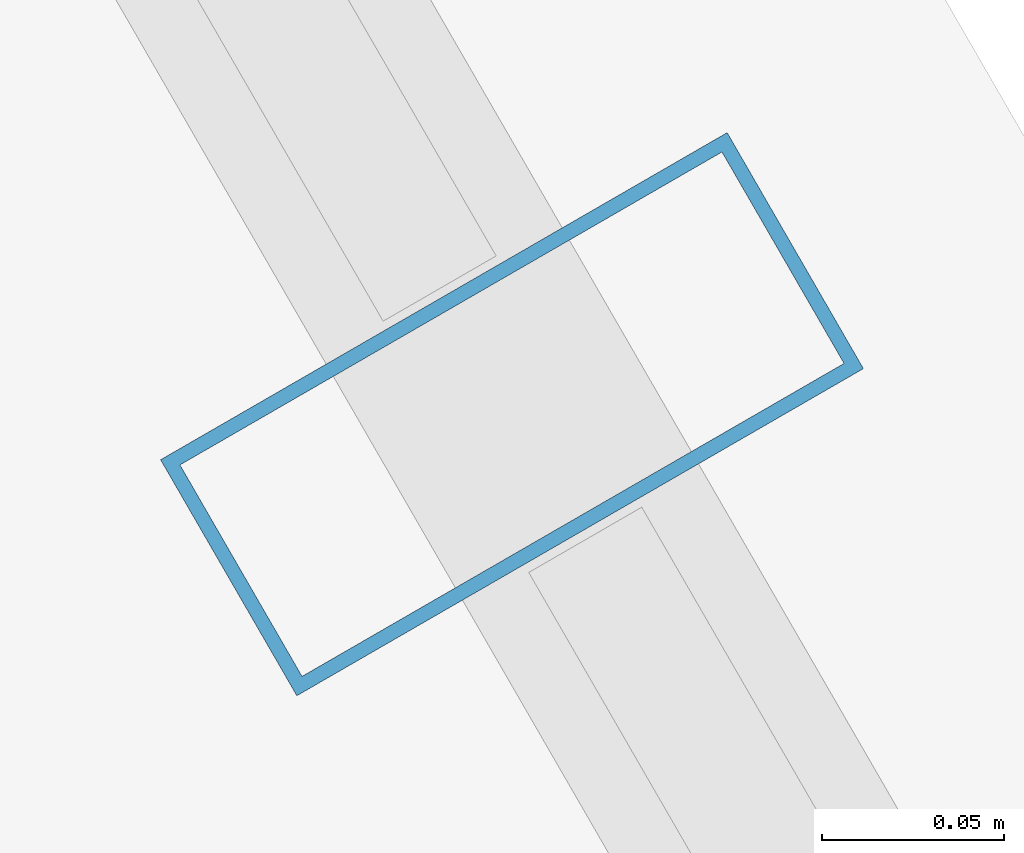
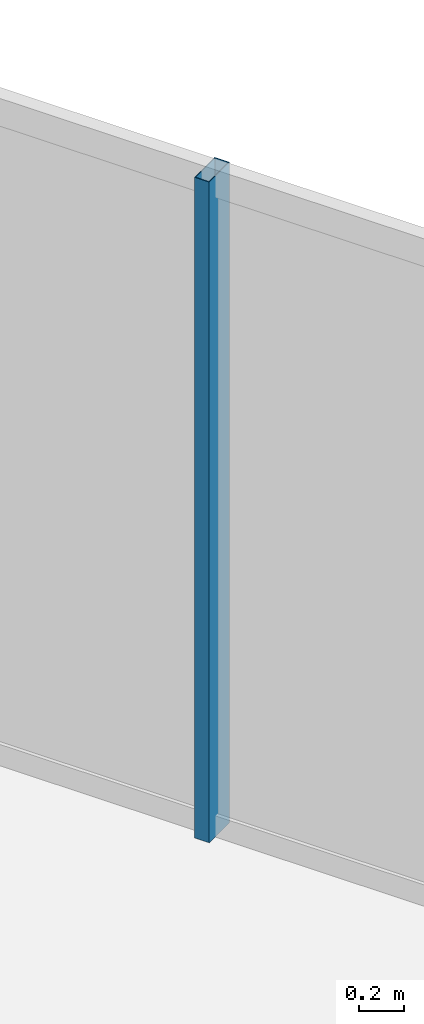
# One storey, part 22 of 32: 1 member, 1 element without a shape of its own.
"""IFC4 building model written with IfcOpenShell, lengths in metres."""

from ifc_helpers import new_model, si_unit, direction, frame, origin, origin_2d, place, context, subcontext, project, spatial, hollow_rectangle, extrude, material, layer, layer_set, material_profile, profile_set, type_object, element, aggregate, save


model = new_model("IFC4")

# Units and contexts
model_context = context("Model", 3, precision=1e-05, world=origin(), true_north=direction((0.0, 1.0)))
body_context = subcontext(model_context, "Body", "Model", "MODEL_VIEW")
ifc_project = project(units=[si_unit("LENGTHUNIT", "METRE"), si_unit("AREAUNIT", "SQUARE_METRE"), si_unit("VOLUMEUNIT", "CUBIC_METRE"), si_unit("PLANEANGLEUNIT", "RADIAN"), si_unit("MASSUNIT", "GRAM", prefix="KILO")], contexts=[model_context])

# Site, building, storey
site_placement = place(None, origin())
site = spatial("IfcSite", under=ifc_project, at=site_placement, CompositionType="ELEMENT")
building_placement = place(site_placement, origin())
building = spatial("IfcBuilding", under=site, at=building_placement, Name="Ndaravel Arena Tower", CompositionType="ELEMENT")
storey_placement = place(building_placement, frame((0.0, 0.0, 259.800048828125)))
storey = spatial("IfcBuildingStorey", under=building, at=storey_placement, Name="L63", CompositionType="ELEMENT", Elevation=259.800048828125)

# Curtain wall, member
ifc_material_1 = material(Name="Aluminium", Category="aluminium")
ifc_layer = layer(ifc_material_1, 0.179931640625)
ifc_layer_set = layer_set([ifc_layer], Name="Aluminium")
curtain_wall_type = type_object("IfcCurtainWallType", Name="CW-SYS-03", PredefinedType="NOTDEFINED", material=ifc_layer_set)
curtain_wall_placement = place(storey_placement, origin())
curtain_wall = element("IfcCurtainWall", 1, at=curtain_wall_placement, inside=storey, type_object=curtain_wall_type, Name="L63 Faceted Crystal Curtain Wall CW-L63-E03", PredefinedType="NOTDEFINED")
ifc_material_2 = material(Name="Aluminium", Category="aluminium")
ifc_material_profile = material_profile(ifc_material_2, hollow_rectangle(XDim=0.074951171875, YDim=0.179931640625, WallThickness=0.00390625, at=origin_2d()), Name="CW MULLION 75x180x4")
ifc_profile_set = profile_set([ifc_material_profile], Name="Aluminium")
member_type = type_object("IfcMemberType", Name="MEM-CW-MUL180", PredefinedType="MULLION", material=ifc_profile_set)
member_placement = place(storey_placement, frame((58.215576171875, 21.81298828125, 0.0), z_axis=(0.0, 0.0, 1.0), x_axis=(-0.5, 0.866025403784, 0.0)))
member = element("IfcMember", 2, at=member_placement, type_object=member_type, Name="CW-L63-E03 Mullion 03", PredefinedType="MULLION", context=body_context, shape_type="SweptSolid", body=[
    extrude(hollow_rectangle(XDim=0.074951171875, YDim=0.179931640625, WallThickness=0.00390625, at=origin_2d()), origin(), (0.0, 0.0, 1.0), 3.579833984375),
])
aggregate(curtain_wall, [member])

save(model, "model.ifc")
